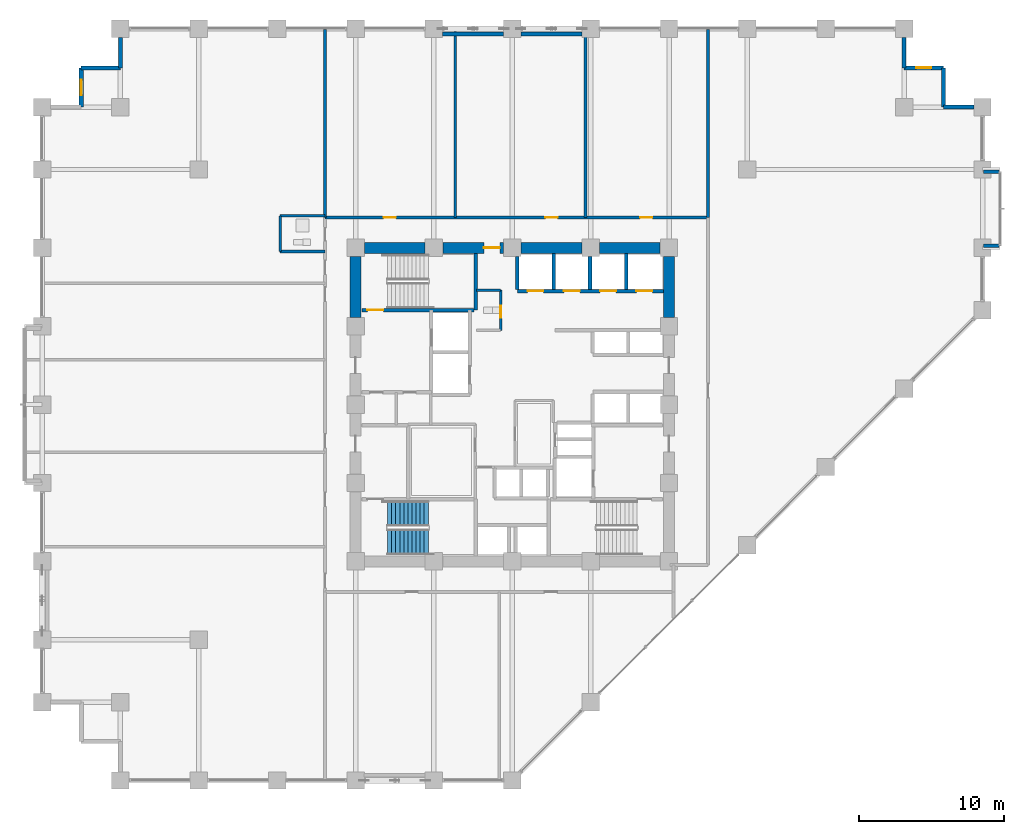
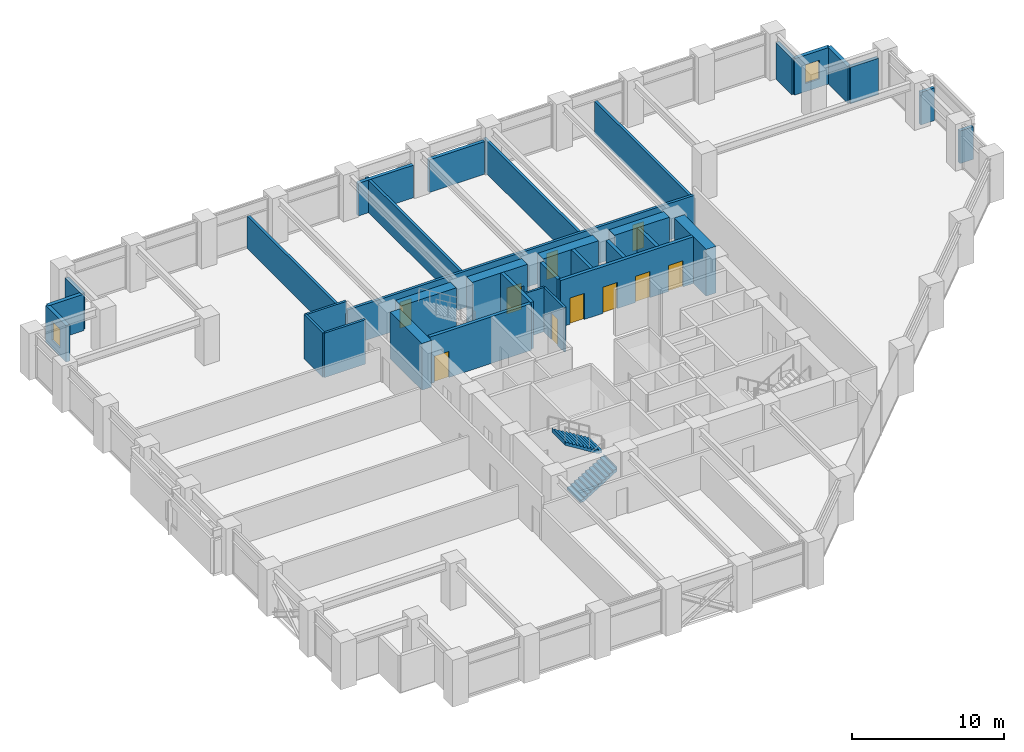
# One storey, part 22 of 27: 34 walls, 10 doors, 2 stair flights, 2 windows, 12 openings, 1 element without a shape of its own.
"""IFC4 building model written with IfcOpenShell, lengths in metres."""

from ifc_helpers import new_model, si_unit, direction, frame, frame_2d, origin, place, context, subcontext, project, spatial, polyline, rectangle, outline, extrude, material, layer, layer_set, type_object, element, fill, aggregate, save


model = new_model("IFC4")

# Units and contexts
model_context = context("Model", 3, precision=1e-05, world=origin(), true_north=direction((0.0, 1.0)))
body_context = subcontext(model_context, "Body", "Model", "MODEL_VIEW")
ifc_project = project(units=[si_unit("LENGTHUNIT", "METRE"), si_unit("AREAUNIT", "SQUARE_METRE"), si_unit("VOLUMEUNIT", "CUBIC_METRE"), si_unit("PLANEANGLEUNIT", "RADIAN"), si_unit("MASSUNIT", "GRAM", prefix="KILO")], contexts=[model_context])

# Site, building, storey
site_placement = place(None, origin())
site = spatial("IfcSite", under=ifc_project, at=site_placement, CompositionType="ELEMENT")
building_placement = place(site_placement, origin())
building = spatial("IfcBuilding", under=site, at=building_placement, Name="Surkhivell Harbour Commons", CompositionType="ELEMENT")
storey_placement = place(building_placement, frame((0.0, 0.0, 56.25)))
storey = spatial("IfcBuildingStorey", under=building, at=storey_placement, Name="L14", CompositionType="ELEMENT", Elevation=56.25)

# Wall
ifc_material_1 = material(Name="Concrete C60/75", Category="concrete")
ifc_layer_1 = layer(ifc_material_1, 0.75)
ifc_layer_set_1 = layer_set([ifc_layer_1], Name="Concrete C60/75")
wall_type_1 = type_object("IfcWallType", Name="WAL-CORE-750", PredefinedType="SHEAR", material=ifc_layer_set_1)
wall_1_placement = place(storey_placement, frame((-10.18994140625, 10.800048828125, 0.0), z_axis=(0.0, 0.0, 1.0), x_axis=(1.0, 0.0, 0.0)))
element("IfcWall", 1, at=wall_1_placement, inside=storey, type_object=wall_type_1, Name="L14 Core Shear Wall North 1", PredefinedType="SHEAR", context=body_context, shape_type="SweptSolid", body=[
    extrude(rectangle(XDim=4.179931640625, YDim=0.75, at=frame_2d((2.08984375, 0.0))), origin(), (0.0, 0.0, 1.0), 3.75),
])

# Wall, opening, door
wall_2_placement = place(storey_placement, frame((-4.7900390625, 10.800048828125, 0.0), z_axis=(0.0, 0.0, 1.0), x_axis=(1.0, 0.0, 0.0)))
wall_2 = element("IfcWall", 2, at=wall_2_placement, inside=storey, type_object=wall_type_1, Name="L14 Core Shear Wall North 2", PredefinedType="SHEAR", context=body_context, shape_type="SweptSolid", body=[
    extrude(rectangle(XDim=4.179931640625, YDim=0.75, at=frame_2d((2.08984375, 0.0))), origin(), (0.0, 0.0, 1.0), 3.75),
])
opening_1_placement = place(wall_2_placement, frame((2.830078125, 0.0, 0.0)))
opening_1 = element("IfcOpeningElement", 3, at=opening_1_placement, cuts=wall_2, Name="Opening ID-2", PredefinedType="OPENING", context=body_context, shape_type="SweptSolid", body=[
    extrude(rectangle(XDim=1.10009765625, YDim=2.10009765625, at=frame_2d((0.550048828125, 1.050048828125))), frame((0.0, 0.385009765625, 0.0), z_axis=(0.0, -1.0, 0.0), x_axis=(1.0, 0.0, 0.0)), (0.0, 0.0, 1.0), 0.77001953125),
])
ifc_material_2 = material(Name="Hardwood-veneered fire-rated door leaf", Category="wood")
door_type_1 = type_object("IfcDoorType", Name="DOR-FD60-1100", OperationType="NOTDEFINED", PredefinedType="DOOR", material=ifc_material_2)
door_1_placement = place(opening_1_placement, origin())
door_1 = element("IfcDoor", 4, at=door_1_placement, inside=storey, type_object=door_type_1, Name="L14 Central Core Lift Hall North Corridor Door", OperationType="SINGLE_SWING_LEFT", OverallHeight=2.10009765625, OverallWidth=1.10009765625, PredefinedType="DOOR", context=body_context, shape_type="SweptSolid", body=[
    extrude(rectangle(XDim=1.10009765625, YDim=2.10009765625, at=frame_2d((0.550048828125, 1.050048828125))), frame((0.0, 0.02490234375, 0.0), z_axis=(0.0, -1.0, 0.0), x_axis=(1.0, 0.0, 0.0)), (0.0, 0.0, 1.0), 0.050048828125),
])
fill(opening_1, door_1)

# Walls
for number, where, z_axis, x_axis, name in (
    (5, (0.610107421875, 10.800048828125, 0.0), (0.0, 0.0, 1.0), (1.0, 0.0, 0.0), "L14 Core Shear Wall North 3"),
    (6, (6.010009765625, 10.800048828125, 0.0), (0.0, 0.0, 1.0), (1.0, 0.0, 0.0), "L14 Core Shear Wall North 4"),
    (7, (-10.800048828125, 6.010009765625, 0.0), (0.0, 0.0, 1.0), (0.0, 1.0, 0.0), "L14 Core Shear Wall West 4"),
    (8, (10.800048828125, 6.010009765625, 0.0), (0.0, 0.0, 1.0), (0.0, 1.0, 0.0), "L14 Core Shear Wall East 4"),
):
    element("IfcWall", number, at=place(storey_placement, frame(where, z_axis=z_axis, x_axis=x_axis)), inside=storey, type_object=wall_type_1, Name=name, PredefinedType="SHEAR", context=body_context, shape_type="SweptSolid", body=[
        extrude(rectangle(XDim=4.179931640625, YDim=0.75, at=frame_2d((2.08984375, 0.0))), origin(), (0.0, 0.0, 1.0), 3.75),
    ])
ifc_material_3 = material(Name="Pale-metal insulated precast concrete C45/55", Category="concrete")
ifc_layer_2 = layer(ifc_material_3, 0.260009765625)
ifc_layer_set_2 = layer_set([ifc_layer_2], Name="Pale-metal insulated precast concrete C45/55")
wall_type_2 = type_object("IfcWallType", Name="WAL-EXT-MTL260", PredefinedType="STANDARD", material=ifc_layer_set_2)
for number, where, z_axis, x_axis, name in (
    (9, (-0.597900390625, 25.5400390625, 0.0), (0.0, 0.0, 1.0), (-1.0, 0.0, 0.0), "L14 Braced-Bay Insulated Spandrel Backing N"),
    (10, (4.802001953125, 25.5400390625, 0.0), (0.0, 0.0, 1.0), (-1.0, 0.0, 0.0), "L14 Braced-Bay Insulated Spandrel Backing N2"),
):
    element("IfcWall", number, at=place(storey_placement, frame(where, z_axis=z_axis, x_axis=x_axis)), inside=storey, type_object=wall_type_2, Name=name, PredefinedType="STANDARD", context=body_context, shape_type="SweptSolid", body=[
        extrude(rectangle(XDim=4.2041015625, YDim=0.260009765625, at=frame_2d((2.10205078125, 0.0))), origin(), (0.0, 0.0, 1.0), 2.623046875),
    ])
ifc_material_4 = material(Name="Bronze-ochre cassette precast concrete C45/55", Category="concrete")
ifc_layer_3 = layer(ifc_material_4, 0.239990234375)
ifc_layer_set_3 = layer_set([ifc_layer_3], Name="Bronze-ochre cassette precast concrete C45/55")
wall_type_3 = type_object("IfcWallType", Name="WAL-EXT-OCH240", PredefinedType="STANDARD", material=ifc_layer_set_3)
for number, where, z_axis, x_axis, name in (
    (11, (32.47998046875, 10.93994140625, 0.0), (0.0, 0.0, 1.0), (1.0, 0.0, 0.0), "L14 Coloured Box Return Wall 01S"),
    (12, (32.47998046875, 16.06005859375, 0.0), (0.0, 0.0, 1.0), (1.0, 0.0, 0.0), "L14 Coloured Box Return Wall 01N"),
):
    element("IfcWall", number, at=place(storey_placement, frame(where, z_axis=z_axis, x_axis=x_axis)), inside=storey, type_object=wall_type_3, Name=name, PredefinedType="STANDARD", context=body_context, shape_type="SweptSolid", body=[
        extrude(rectangle(XDim=1.0400390625, YDim=0.239990234375, at=frame_2d((0.52001953125, 0.0))), origin(), (0.0, 0.0, 1.0), 2.623046875),
    ])
ifc_material_5 = material(Name="Terracotta-clad reinforced concrete C45/55", Category="masonry")
ifc_layer_4 = layer(ifc_material_5, 0.280029296875)
ifc_layer_set_4 = layer_set([ifc_layer_4], Name="Terracotta-clad reinforced concrete C45/55")
wall_type_4 = type_object("IfcWallType", Name="WAL-EXT-TER280", PredefinedType="STANDARD", material=ifc_layer_set_4)
wall_3_placement = place(storey_placement, frame((31.802001953125, 20.5, 0.0), z_axis=(0.0, 0.0, 1.0), x_axis=(-1.0, 0.0, 0.0)))
element("IfcWall", 13, at=wall_3_placement, inside=storey, type_object=wall_type_4, Name="L14 Serrated Corner Facade Wall 03", PredefinedType="STANDARD", context=body_context, shape_type="SweptSolid", body=[
    extrude(rectangle(XDim=2.10205078125, YDim=0.280029296875, at=frame_2d((1.051025390625, 0.0))), origin(), (0.0, 0.0, 1.0), 2.929931640625),
])
wall_4_placement = place(storey_placement, frame((29.699951171875, 20.5, 0.0), z_axis=(0.0, 0.0, 1.0), x_axis=(0.0, 1.0, 0.0)))
element("IfcWall", 14, at=wall_4_placement, inside=storey, type_object=wall_type_4, Name="L14 Serrated Corner Facade Wall 04", PredefinedType="STANDARD", context=body_context, shape_type="SweptSolid", body=[
    extrude(rectangle(XDim=2.699951171875, YDim=0.280029296875, at=frame_2d((1.35009765625, 0.0))), origin(), (0.0, 0.0, 1.0), 2.929931640625),
])

# Wall, opening, window
wall_5_placement = place(storey_placement, frame((29.699951171875, 23.199951171875, 0.0), z_axis=(0.0, 0.0, 1.0), x_axis=(-1.0, 0.0, 0.0)))
wall_5 = element("IfcWall", 15, at=wall_5_placement, inside=storey, type_object=wall_type_4, Name="L14 Serrated Corner Facade Wall 05", PredefinedType="STANDARD", context=body_context, shape_type="SweptSolid", body=[
    extrude(rectangle(XDim=2.699951171875, YDim=0.280029296875, at=frame_2d((1.35009765625, 0.0))), origin(), (0.0, 0.0, 1.0), 2.929931640625),
])
opening_2_placement = place(wall_5_placement, frame((0.824951171875, 0.0, 0.64990234375)))
opening_2 = element("IfcOpeningElement", 16, at=opening_2_placement, cuts=wall_5, Name="Opening WN-11", PredefinedType="OPENING", context=body_context, shape_type="SweptSolid", body=[
    extrude(rectangle(XDim=1.050048828125, YDim=1.5, at=frame_2d((0.52490234375, 0.75))), frame((0.0, 0.14990234375, 0.0), z_axis=(0.0, -1.0, 0.0), x_axis=(1.0, 0.0, 0.0)), (0.0, 0.0, 1.0), 0.300048828125),
])
ifc_material_6 = material(Name="Thermal-break aluminium frame and double low-E glazing", Category="aluminium")
window_type = type_object("IfcWindowType", Name="WIN-SER-1050x1500", PartitioningType="SINGLE_PANEL", PredefinedType="WINDOW", material=ifc_material_6)
window_1_placement = place(opening_2_placement, origin())
window_1 = element("IfcWindow", 17, at=window_1_placement, inside=storey, type_object=window_type, Name="L14 Serrated Alcove Window 05", OverallHeight=1.5, OverallWidth=1.050048828125, PartitioningType="SINGLE_PANEL", PredefinedType="WINDOW", context=body_context, shape_type="SweptSolid", body=[
    extrude(rectangle(XDim=1.050048828125, YDim=1.5, at=frame_2d((0.52490234375, 0.75))), frame((0.0, 0.030029296875, 0.0), z_axis=(0.0, -1.0, 0.0), x_axis=(1.0, 0.0, 0.0)), (0.0, 0.0, 1.0), 0.06005859375),
])
fill(opening_2, window_1)

# Walls
for number, where, z_axis, x_axis, name in (
    (18, (27.0, 23.199951171875, 0.0), (0.0, 0.0, 1.0), (0.0, 1.0, 0.0), "L14 Serrated Corner Facade Wall 06"),
    (19, (-27.0, 25.302001953125, 0.0), (0.0, 0.0, 1.0), (0.0, -1.0, 0.0), "L14 Serrated Corner Facade Wall 08"),
):
    element("IfcWall", number, at=place(storey_placement, frame(where, z_axis=z_axis, x_axis=x_axis)), inside=storey, type_object=wall_type_4, Name=name, PredefinedType="STANDARD", context=body_context, shape_type="SweptSolid", body=[
        extrude(rectangle(XDim=2.10205078125, YDim=0.280029296875, at=frame_2d((1.051025390625, 0.0))), origin(), (0.0, 0.0, 1.0), 2.929931640625),
    ])
wall_6_placement = place(storey_placement, frame((-27.0, 23.199951171875, 0.0), z_axis=(0.0, 0.0, 1.0), x_axis=(-1.0, 0.0, 0.0)))
element("IfcWall", 20, at=wall_6_placement, inside=storey, type_object=wall_type_4, Name="L14 Serrated Corner Facade Wall 09", PredefinedType="STANDARD", context=body_context, shape_type="SweptSolid", body=[
    extrude(rectangle(XDim=2.699951171875, YDim=0.280029296875, at=frame_2d((1.35009765625, 0.0))), origin(), (0.0, 0.0, 1.0), 2.929931640625),
])

# Wall, opening, window
wall_7_placement = place(storey_placement, frame((-29.699951171875, 23.199951171875, 0.0), z_axis=(0.0, 0.0, 1.0), x_axis=(0.0, -1.0, 0.0)))
wall_7 = element("IfcWall", 21, at=wall_7_placement, inside=storey, type_object=wall_type_4, Name="L14 Serrated Corner Facade Wall 10", PredefinedType="STANDARD", context=body_context, shape_type="SweptSolid", body=[
    extrude(rectangle(XDim=2.699951171875, YDim=0.280029296875, at=frame_2d((1.35009765625, 0.0))), origin(), (0.0, 0.0, 1.0), 2.929931640625),
])
opening_3_placement = place(wall_7_placement, frame((0.824951171875, 0.0, 0.64990234375)))
opening_3 = element("IfcOpeningElement", 22, at=opening_3_placement, cuts=wall_7, Name="Opening WN-11", PredefinedType="OPENING", context=body_context, shape_type="SweptSolid", body=[
    extrude(rectangle(XDim=1.050048828125, YDim=1.5, at=frame_2d((0.52490234375, 0.75))), frame((0.0, 0.14990234375, 0.0), z_axis=(0.0, -1.0, 0.0), x_axis=(1.0, 0.0, 0.0)), (0.0, 0.0, 1.0), 0.300048828125),
])
window_2_placement = place(opening_3_placement, origin())
window_2 = element("IfcWindow", 23, at=window_2_placement, inside=storey, type_object=window_type, Name="L14 Serrated Alcove Window 10", OverallHeight=1.5, OverallWidth=1.050048828125, PartitioningType="SINGLE_PANEL", PredefinedType="WINDOW", context=body_context, shape_type="SweptSolid", body=[
    extrude(rectangle(XDim=1.050048828125, YDim=1.5, at=frame_2d((0.52490234375, 0.75))), frame((0.0, 0.030029296875, 0.0), z_axis=(0.0, -1.0, 0.0), x_axis=(1.0, 0.0, 0.0)), (0.0, 0.0, 1.0), 0.06005859375),
])
fill(opening_3, window_2)

# Wall, opening, door
ifc_material_7 = material(Name="Twin-stud acoustic fireboard partition", Category="other")
ifc_layer_5 = layer(ifc_material_7, 0.14990234375)
ifc_layer_set_5 = layer_set([ifc_layer_5], Name="Twin-stud acoustic fireboard partition")
wall_type_5 = type_object("IfcWallType", Name="WAL-INT-150", PredefinedType="PARTITIONING", material=ifc_layer_set_5)
wall_8_placement = place(storey_placement, frame((-0.800048828125, 5.1201171875, 0.0), z_axis=(0.0, 0.0, 1.0), x_axis=(0.0, 1.0, 0.0)))
wall_8 = element("IfcWall", 24, at=wall_8_placement, inside=storey, type_object=wall_type_5, Name="L14 Core Accessible WC East Wall", PredefinedType="PARTITIONING", context=body_context, shape_type="SweptSolid", body=[
    extrude(rectangle(XDim=2.759765625, YDim=0.14990234375, at=frame_2d((1.3798828125, 0.0))), origin(), (0.0, 0.0, 1.0), 3.570068359375),
])
opening_4_placement = place(wall_8_placement, frame((0.85009765625, 0.0, 0.0)))
opening_4 = element("IfcOpeningElement", 25, at=opening_4_placement, cuts=wall_8, Name="Opening ID-6", PredefinedType="OPENING", context=body_context, shape_type="SweptSolid", body=[
    extrude(rectangle(XDim=0.85009765625, YDim=2.10009765625, at=frame_2d((0.425048828125, 1.050048828125))), frame((0.0, 0.0849609375, 0.0), z_axis=(0.0, -1.0, 0.0), x_axis=(1.0, 0.0, 0.0)), (0.0, 0.0, 1.0), 0.169921875),
])
door_type_2 = type_object("IfcDoorType", Name="DOR-FD30-850", OperationType="NOTDEFINED", PredefinedType="DOOR", material=ifc_material_2)
door_2_placement = place(opening_4_placement, origin())
door_2 = element("IfcDoor", 26, at=door_2_placement, inside=storey, type_object=door_type_2, Name="L14 Floor Accessible WC Door", OperationType="SINGLE_SWING_LEFT", OverallHeight=2.10009765625, OverallWidth=0.85009765625, PredefinedType="DOOR", context=body_context, shape_type="SweptSolid", body=[
    extrude(rectangle(XDim=0.85009765625, YDim=2.10009765625, at=frame_2d((0.425048828125, 1.050048828125))), frame((0.0, 0.02490234375, 0.0), z_axis=(0.0, -1.0, 0.0), x_axis=(1.0, 0.0, 0.0)), (0.0, 0.0, 1.0), 0.050048828125),
])
fill(opening_4, door_2)

# Walls
wall_9_placement = place(storey_placement, frame((-2.47998046875, 7.8798828125, 0.0), z_axis=(0.0, 0.0, 1.0), x_axis=(1.0, 0.0, 0.0)))
element("IfcWall", 27, at=wall_9_placement, inside=storey, type_object=wall_type_5, Name="L14 Core Accessible WC North Wall", PredefinedType="PARTITIONING", context=body_context, shape_type="SweptSolid", body=[
    extrude(rectangle(XDim=1.679931640625, YDim=0.14990234375, at=frame_2d((0.83984375, 0.0))), origin(), (0.0, 0.0, 1.0), 3.570068359375),
])
ifc_material_8 = material(Name="High-density acoustic blockwork fire partition", Category="masonry")
ifc_layer_6 = layer(ifc_material_8, 0.175048828125)
ifc_layer_set_6 = layer_set([ifc_layer_6], Name="High-density acoustic blockwork fire partition")
wall_type_6 = type_object("IfcWallType", Name="WAL-INT-175", PredefinedType="PARTITIONING", material=ifc_layer_set_6)
wall_10_placement = place(storey_placement, frame((-16.0, 10.550048828125, 0.0), z_axis=(0.0, 0.0, 1.0), x_axis=(0.0, 1.0, 0.0)))
element("IfcWall", 28, at=wall_10_placement, inside=storey, type_object=wall_type_6, Name="L14 West Partition BTHB", PredefinedType="PARTITIONING", context=body_context, shape_type="SweptSolid", body=[
    extrude(rectangle(XDim=2.449951171875, YDim=0.175048828125, at=frame_2d((1.22509765625, 0.0))), origin(), (0.0, 0.0, 1.0), 3.570068359375),
])
for number, where, z_axis, x_axis, name in (
    (29, (-16.0, 13.0, 0.0), (0.0, 0.0, 1.0), (1.0, 0.0, 0.0), "L14 West Partition BTHN"),
    (30, (-16.0, 10.550048828125, 0.0), (0.0, 0.0, 1.0), (1.0, 0.0, 0.0), "L14 West Partition BTHS"),
):
    element("IfcWall", number, at=place(storey_placement, frame(where, z_axis=z_axis, x_axis=x_axis)), inside=storey, type_object=wall_type_6, Name=name, PredefinedType="PARTITIONING", context=body_context, shape_type="SweptSolid", body=[
        extrude(rectangle(XDim=3.10009765625, YDim=0.175048828125, at=frame_2d((1.550048828125, 0.0))), origin(), (0.0, 0.0, 1.0), 3.570068359375),
    ])
ifc_material_9 = material(Name="Autoclaved aerated concrete blockwork and fire plaster", Category="masonry")
ifc_layer_7 = layer(ifc_material_9, 0.199951171875)
ifc_layer_set_7 = layer_set([ifc_layer_7], Name="Autoclaved aerated concrete blockwork and fire plaster")
wall_type_7 = type_object("IfcWallType", Name="WAL-INT-200", PredefinedType="PARTITIONING", material=ifc_layer_set_7)
for number, where, z_axis, x_axis, name in (
    (31, (13.47998046875, 12.89990234375, 0.0), (0.0, 0.0, 1.0), (0.0, 1.0, 0.0), "L14 North-East Wing Corner Divider"),
    (32, (-12.89990234375, 12.89990234375, 0.0), (0.0, 0.0, 1.0), (0.0, 1.0, 0.0), "L14 North-West Wing Corner Divider"),
):
    element("IfcWall", number, at=place(storey_placement, frame(where, z_axis=z_axis, x_axis=x_axis)), inside=storey, type_object=wall_type_7, Name=name, PredefinedType="PARTITIONING", context=body_context, shape_type="SweptSolid", body=[
        extrude(rectangle(XDim=12.940185546875, YDim=0.199951171875, at=frame_2d((6.47021484375, 0.0))), origin(), (0.0, 0.0, 1.0), 2.623046875),
    ])

# Wall, openings, doors
wall_11_placement = place(storey_placement, frame((-12.89990234375, 12.89990234375, 0.0), z_axis=(0.0, 0.0, 1.0), x_axis=(1.0, 0.0, 0.0)))
wall_11 = element("IfcWall", 33, at=wall_11_placement, inside=storey, type_object=wall_type_7, Name="L14 Corridor North Wall", PredefinedType="PARTITIONING", context=body_context, shape_type="SweptSolid", body=[
    extrude(rectangle(XDim=26.3798828125, YDim=0.199951171875, at=frame_2d((13.18994140625, 0.0))), origin(), (0.0, 0.0, 1.0), 2.929931640625),
])
opening_5_placement = place(wall_11_placement, frame((4.034912109375, 0.0, 0.0)))
opening_5 = element("IfcOpeningElement", 34, at=opening_5_placement, cuts=wall_11, Name="Opening ID-6", PredefinedType="OPENING", context=body_context, shape_type="SweptSolid", body=[
    extrude(rectangle(XDim=0.85009765625, YDim=2.10009765625, at=frame_2d((0.425048828125, 1.050048828125))), frame((0.0, 0.10986328125, 0.0), z_axis=(0.0, -1.0, 0.0), x_axis=(1.0, 0.0, 0.0)), (0.0, 0.0, 1.0), 0.219970703125),
])
opening_6_placement = place(wall_11_placement, frame((15.17529296875, 0.0, 0.0)))
opening_6 = element("IfcOpeningElement", 35, at=opening_6_placement, cuts=wall_11, Name="Opening ID-6", PredefinedType="OPENING", context=body_context, shape_type="SweptSolid", body=[
    extrude(rectangle(XDim=0.85009765625, YDim=2.10009765625, at=frame_2d((0.425048828125, 1.050048828125))), frame((0.0, 0.10986328125, 0.0), z_axis=(0.0, -1.0, 0.0), x_axis=(1.0, 0.0, 0.0)), (0.0, 0.0, 1.0), 0.219970703125),
])
opening_7_placement = place(wall_11_placement, frame((21.7099609375, 0.0, 0.0)))
opening_7 = element("IfcOpeningElement", 36, at=opening_7_placement, cuts=wall_11, Name="Opening ID-6", PredefinedType="OPENING", context=body_context, shape_type="SweptSolid", body=[
    extrude(rectangle(XDim=0.85009765625, YDim=2.10009765625, at=frame_2d((0.425048828125, 1.050048828125))), frame((0.0, 0.10986328125, 0.0), z_axis=(0.0, -1.0, 0.0), x_axis=(1.0, 0.0, 0.0)), (0.0, 0.0, 1.0), 0.219970703125),
])
door_3_placement = place(opening_5_placement, origin())
door_3 = element("IfcDoor", 37, at=door_3_placement, inside=storey, type_object=door_type_2, Name="L14 Academic Seminar Room 1 North Door", OperationType="SINGLE_SWING_LEFT", OverallHeight=2.10009765625, OverallWidth=0.85009765625, PredefinedType="DOOR", context=body_context, shape_type="SweptSolid", body=[
    extrude(rectangle(XDim=0.85009765625, YDim=2.10009765625, at=frame_2d((0.425048828125, 1.050048828125))), frame((0.0, 0.02490234375, 0.0), z_axis=(0.0, -1.0, 0.0), x_axis=(1.0, 0.0, 0.0)), (0.0, 0.0, 1.0), 0.050048828125),
])
fill(opening_5, door_3)
door_4_placement = place(opening_6_placement, origin())
door_4 = element("IfcDoor", 38, at=door_4_placement, inside=storey, type_object=door_type_2, Name="L14 Academic Seminar Room 2 North Door", OperationType="SINGLE_SWING_RIGHT", OverallHeight=2.10009765625, OverallWidth=0.85009765625, PredefinedType="DOOR", context=body_context, shape_type="SweptSolid", body=[
    extrude(rectangle(XDim=0.85009765625, YDim=2.10009765625, at=frame_2d((0.425048828125, 1.050048828125))), frame((0.0, 0.02490234375, 0.0), z_axis=(0.0, -1.0, 0.0), x_axis=(1.0, 0.0, 0.0)), (0.0, 0.0, 1.0), 0.050048828125),
])
fill(opening_6, door_4)
door_5_placement = place(opening_7_placement, origin())
door_5 = element("IfcDoor", 39, at=door_5_placement, inside=storey, type_object=door_type_2, Name="L14 Academic Seminar Room 3 North Door", OperationType="SINGLE_SWING_LEFT", OverallHeight=2.10009765625, OverallWidth=0.85009765625, PredefinedType="DOOR", context=body_context, shape_type="SweptSolid", body=[
    extrude(rectangle(XDim=0.85009765625, YDim=2.10009765625, at=frame_2d((0.425048828125, 1.050048828125))), frame((0.0, 0.02490234375, 0.0), z_axis=(0.0, -1.0, 0.0), x_axis=(1.0, 0.0, 0.0)), (0.0, 0.0, 1.0), 0.050048828125),
])
fill(opening_7, door_5)

# Walls
for number, where, z_axis, x_axis, name in (
    (40, (-3.929931640625, 12.89990234375, 0.0), (0.0, 0.0, 1.0), (0.0, 1.0, 0.0), "L14 North Partition P1"),
    (41, (5.0400390625, 12.89990234375, 0.0), (0.0, 0.0, 1.0), (0.0, 1.0, 0.0), "L14 North Partition P2"),
):
    element("IfcWall", number, at=place(storey_placement, frame(where, z_axis=z_axis, x_axis=x_axis)), inside=storey, type_object=wall_type_7, Name=name, PredefinedType="PARTITIONING", context=body_context, shape_type="SweptSolid", body=[
        extrude(rectangle(XDim=12.940185546875, YDim=0.199951171875, at=frame_2d((6.47021484375, 0.0))), origin(), (0.0, 0.0, 1.0), 2.623046875),
    ])
ifc_material_10 = material(Name="Concrete C50/60", Category="concrete")
ifc_layer_8 = layer(ifc_material_10, 0.25)
ifc_layer_set_8 = layer_set([ifc_layer_8], Name="Concrete C50/60")
wall_type_8 = type_object("IfcWallType", Name="WAL-SHAFT-250", PredefinedType="SHEAR", material=ifc_layer_set_8)
wall_12_placement = place(storey_placement, frame((2.85009765625, 7.93994140625, 0.0), z_axis=(0.0, 0.0, 1.0), x_axis=(0.0, 1.0, 0.0)))
element("IfcWall", 42, at=wall_12_placement, inside=storey, type_object=wall_type_8, Name="L14 Low-Rise Hoistway Wall", PredefinedType="SHEAR", context=body_context, shape_type="SweptSolid", body=[
    extrude(rectangle(XDim=2.485107421875, YDim=0.25, at=frame_2d((1.24267578125, 0.0))), origin(), (0.0, 0.0, 1.0), 3.75),
])
for number, where, z_axis, x_axis, name in (
    (43, (0.35009765625, 7.93994140625, 0.0), (0.0, 0.0, 1.0), (0.0, 1.0, 0.0), "L14 Low-Rise Hoistway Wall"),
    (44, (5.35009765625, 7.93994140625, 0.0), (0.0, 0.0, 1.0), (0.0, 1.0, 0.0), "L14 Low-Rise Hoistway Wall"),
):
    element("IfcWall", number, at=place(storey_placement, frame(where, z_axis=z_axis, x_axis=x_axis)), inside=storey, type_object=wall_type_8, Name=name, PredefinedType="SHEAR", context=body_context, shape_type="SweptSolid", body=[
        extrude(rectangle(XDim=2.260009765625, YDim=0.25, at=frame_2d((1.1298828125, 0.0))), origin(), (0.0, 0.0, 1.0), 3.75),
    ])
wall_13_placement = place(storey_placement, frame((7.85009765625, 7.93994140625, 0.0), z_axis=(0.0, 0.0, 1.0), x_axis=(0.0, 1.0, 0.0)))
element("IfcWall", 45, at=wall_13_placement, inside=storey, type_object=wall_type_8, Name="L14 Low-Rise Hoistway Wall", PredefinedType="SHEAR", context=body_context, shape_type="SweptSolid", body=[
    extrude(rectangle(XDim=2.485107421875, YDim=0.25, at=frame_2d((1.24267578125, 0.0))), origin(), (0.0, 0.0, 1.0), 3.75),
])

# Wall, openings, doors
wall_14_placement = place(storey_placement, frame((0.35009765625, 7.820068359375, 0.0), z_axis=(0.0, 0.0, 1.0), x_axis=(1.0, 0.0, 0.0)))
wall_14 = element("IfcWall", 46, at=wall_14_placement, inside=storey, type_object=wall_type_8, Name="L14 Low-Rise Lift Front Shaft Wall", PredefinedType="SHEAR", context=body_context, shape_type="SweptSolid", body=[
    extrude(rectangle(XDim=10.074951171875, YDim=0.25, at=frame_2d((5.03759765625, 0.0))), origin(), (0.0, 0.0, 1.0), 3.75),
])
opening_8_placement = place(wall_14_placement, frame((0.699951171875, 0.0, 0.0)))
opening_8 = element("IfcOpeningElement", 47, at=opening_8_placement, cuts=wall_14, Name="Opening LD-1", PredefinedType="OPENING", context=body_context, shape_type="SweptSolid", body=[
    extrude(rectangle(XDim=1.10009765625, YDim=2.10009765625, at=frame_2d((0.550048828125, 1.050048828125))), frame((0.0, 0.135009765625, 0.0), z_axis=(0.0, -1.0, 0.0), x_axis=(1.0, 0.0, 0.0)), (0.0, 0.0, 1.0), 0.27001953125),
])
opening_9_placement = place(wall_14_placement, frame((3.199951171875, 0.0, 0.0)))
opening_9 = element("IfcOpeningElement", 48, at=opening_9_placement, cuts=wall_14, Name="Opening LD-1", PredefinedType="OPENING", context=body_context, shape_type="SweptSolid", body=[
    extrude(rectangle(XDim=1.10009765625, YDim=2.10009765625, at=frame_2d((0.550048828125, 1.050048828125))), frame((0.0, 0.135009765625, 0.0), z_axis=(0.0, -1.0, 0.0), x_axis=(1.0, 0.0, 0.0)), (0.0, 0.0, 1.0), 0.27001953125),
])
opening_10_placement = place(wall_14_placement, frame((5.699951171875, 0.0, 0.0)))
opening_10 = element("IfcOpeningElement", 49, at=opening_10_placement, cuts=wall_14, Name="Opening LD-1", PredefinedType="OPENING", context=body_context, shape_type="SweptSolid", body=[
    extrude(rectangle(XDim=1.10009765625, YDim=2.10009765625, at=frame_2d((0.550048828125, 1.050048828125))), frame((0.0, 0.135009765625, 0.0), z_axis=(0.0, -1.0, 0.0), x_axis=(1.0, 0.0, 0.0)), (0.0, 0.0, 1.0), 0.27001953125),
])
opening_11_placement = place(wall_14_placement, frame((8.199951171875, 0.0, 0.0)))
opening_11 = element("IfcOpeningElement", 50, at=opening_11_placement, cuts=wall_14, Name="Opening LD-1", PredefinedType="OPENING", context=body_context, shape_type="SweptSolid", body=[
    extrude(rectangle(XDim=1.10009765625, YDim=2.10009765625, at=frame_2d((0.550048828125, 1.050048828125))), frame((0.0, 0.135009765625, 0.0), z_axis=(0.0, -1.0, 0.0), x_axis=(1.0, 0.0, 0.0)), (0.0, 0.0, 1.0), 0.27001953125),
])
ifc_material_11 = material(Name="Brushed stainless steel S355", Category="steel")
door_type_3 = type_object("IfcDoorType", Name="DOR-LD-1100", OperationType="SLIDING_TO_LEFT", PredefinedType="DOOR", material=ifc_material_11)
door_6_placement = place(opening_8_placement, origin())
door_6 = element("IfcDoor", 51, at=door_6_placement, inside=storey, type_object=door_type_3, Name="L14 Lift Landing Door LD-PL1", OperationType="SLIDING_TO_LEFT", OverallHeight=2.10009765625, OverallWidth=1.10009765625, PredefinedType="DOOR", context=body_context, shape_type="SweptSolid", body=[
    extrude(rectangle(XDim=1.10009765625, YDim=2.10009765625, at=frame_2d((0.550048828125, 1.050048828125))), frame((0.0, 0.02490234375, 0.0), z_axis=(0.0, -1.0, 0.0), x_axis=(1.0, 0.0, 0.0)), (0.0, 0.0, 1.0), 0.050048828125),
])
fill(opening_8, door_6)
door_7_placement = place(opening_9_placement, origin())
door_7 = element("IfcDoor", 52, at=door_7_placement, inside=storey, type_object=door_type_3, Name="L14 Lift Landing Door LD-PL2", OperationType="SLIDING_TO_LEFT", OverallHeight=2.10009765625, OverallWidth=1.10009765625, PredefinedType="DOOR", context=body_context, shape_type="SweptSolid", body=[
    extrude(rectangle(XDim=1.10009765625, YDim=2.10009765625, at=frame_2d((0.550048828125, 1.050048828125))), frame((0.0, 0.02490234375, 0.0), z_axis=(0.0, -1.0, 0.0), x_axis=(1.0, 0.0, 0.0)), (0.0, 0.0, 1.0), 0.050048828125),
])
fill(opening_9, door_7)
door_8_placement = place(opening_10_placement, origin())
door_8 = element("IfcDoor", 53, at=door_8_placement, inside=storey, type_object=door_type_3, Name="L14 Lift Landing Door LD-PL3", OperationType="SLIDING_TO_LEFT", OverallHeight=2.10009765625, OverallWidth=1.10009765625, PredefinedType="DOOR", context=body_context, shape_type="SweptSolid", body=[
    extrude(rectangle(XDim=1.10009765625, YDim=2.10009765625, at=frame_2d((0.550048828125, 1.050048828125))), frame((0.0, 0.02490234375, 0.0), z_axis=(0.0, -1.0, 0.0), x_axis=(1.0, 0.0, 0.0)), (0.0, 0.0, 1.0), 0.050048828125),
])
fill(opening_10, door_8)
door_9_placement = place(opening_11_placement, origin())
door_9 = element("IfcDoor", 54, at=door_9_placement, inside=storey, type_object=door_type_3, Name="L14 Lift Landing Door LD-PL4", OperationType="SLIDING_TO_LEFT", OverallHeight=2.10009765625, OverallWidth=1.10009765625, PredefinedType="DOOR", context=body_context, shape_type="SweptSolid", body=[
    extrude(rectangle(XDim=1.10009765625, YDim=2.10009765625, at=frame_2d((0.550048828125, 1.050048828125))), frame((0.0, 0.02490234375, 0.0), z_axis=(0.0, -1.0, 0.0), x_axis=(1.0, 0.0, 0.0)), (0.0, 0.0, 1.0), 0.050048828125),
])
fill(opening_11, door_9)

# Wall
wall_15_placement = place(storey_placement, frame((-2.510009765625, 6.510009765625, 0.0), z_axis=(0.0, 0.0, 1.0), x_axis=(0.0, 1.0, 0.0)))
element("IfcWall", 55, at=wall_15_placement, inside=storey, type_object=wall_type_8, Name="L14 Stair ST1 East Shear Wall", PredefinedType="SHEAR", context=body_context, shape_type="SweptSolid", body=[
    extrude(rectangle(XDim=3.9150390625, YDim=0.25, at=frame_2d((1.95751953125, 0.0))), origin(), (0.0, 0.0, 1.0), 3.75),
])

# Wall, opening, door
wall_16_placement = place(storey_placement, frame((-10.340087890625, 6.510009765625, 0.0), z_axis=(0.0, 0.0, 1.0), x_axis=(1.0, 0.0, 0.0)))
wall_16 = element("IfcWall", 56, at=wall_16_placement, inside=storey, type_object=wall_type_8, Name="L14 Stair ST1 South Shear Wall", PredefinedType="SHEAR", context=body_context, shape_type="SweptSolid", body=[
    extrude(rectangle(XDim=7.7001953125, YDim=0.25, at=frame_2d((3.85009765625, 0.0))), origin(), (0.0, 0.0, 1.0), 3.75),
])
opening_12_placement = place(wall_16_placement, frame((0.35009765625, 0.0, 0.0)))
opening_12 = element("IfcOpeningElement", 57, at=opening_12_placement, cuts=wall_16, Name="Opening ID-2", PredefinedType="OPENING", context=body_context, shape_type="SweptSolid", body=[
    extrude(rectangle(XDim=1.10009765625, YDim=2.10009765625, at=frame_2d((0.550048828125, 1.050048828125))), frame((0.0, 0.135009765625, 0.0), z_axis=(0.0, -1.0, 0.0), x_axis=(1.0, 0.0, 0.0)), (0.0, 0.0, 1.0), 0.27001953125),
])
door_10_placement = place(opening_12_placement, origin())
door_10 = element("IfcDoor", 58, at=door_10_placement, inside=storey, type_object=door_type_1, Name="L14 Stair ST1 Exit Door", OperationType="SINGLE_SWING_LEFT", OverallHeight=2.10009765625, OverallWidth=1.10009765625, PredefinedType="DOOR", context=body_context, shape_type="SweptSolid", body=[
    extrude(rectangle(XDim=1.10009765625, YDim=2.10009765625, at=frame_2d((0.550048828125, 1.050048828125))), frame((0.0, 0.02490234375, 0.0), z_axis=(0.0, -1.0, 0.0), x_axis=(1.0, 0.0, 0.0)), (0.0, 0.0, 1.0), 0.050048828125),
])
fill(opening_12, door_10)

# Stair, stair flights
ifc_material_12 = material(Name="Precast concrete C45/55", Category="concrete")
stair_type = type_object("IfcStairType", Name="STR-DL-375", PredefinedType="HALF_TURN_STAIR", material=ifc_material_12)
stair_placement = place(storey_placement, origin())
stair = element("IfcStair", 59, at=stair_placement, inside=storey, type_object=stair_type, Name="L14 Core Exit Stair ST3", PredefinedType="HALF_TURN_STAIR")
stair_flight_type = type_object("IfcStairFlightType", Name="STF-DL-375", PredefinedType="STRAIGHT", material=ifc_material_12)
stair_flight_1_placement = place(storey_placement, frame((-8.590087890625, -9.465087890625, 0.0), z_axis=(0.0, 0.0, 1.0), x_axis=(1.0, 0.0, 0.0)))
stair_flight_1 = element("IfcStairFlight", 60, at=stair_flight_1_placement, type_object=stair_flight_type, Name="ST3 flight 1", NumberOfRisers=11, NumberOfTreads=10, PredefinedType="STRAIGHT", RiserHeight=0.170454545, TreadLength=0.28, context=body_context, shape_type="SweptSolid", body=[
    extrude(outline(polyline([(-0.0029296875, -0.034912109375), (-0.0029296875, 0.0), (0.0, 0.0), (0.0, 0.17041015625), (0.280029296875, 0.17041015625), (0.280029296875, 0.3408203125), (0.56005859375, 0.3408203125), (0.56005859375, 0.511474609375), (0.840087890625, 0.511474609375), (0.840087890625, 0.681884765625), (1.1201171875, 0.681884765625), (1.1201171875, 0.852294921875), (1.39990234375, 0.852294921875), (1.39990234375, 1.022705078125), (1.679931640625, 1.022705078125), (1.679931640625, 1.193115234375), (1.9599609375, 1.193115234375), (1.9599609375, 1.363525390625), (2.239990234375, 1.363525390625), (2.239990234375, 1.5341796875), (2.52001953125, 1.5341796875), (2.52001953125, 1.70458984375), (2.800048828125, 1.70458984375), (2.800048828125, 1.875), (2.802978515625, 1.875), (2.802978515625, 1.529052734375), (0.288330078125, -0.034912109375), (-0.0029296875, -0.034912109375)])), frame((0.0, 0.875, 0.0), z_axis=(0.0, -1.0, 0.0), x_axis=(1.0, 0.0, 0.0)), (0.0, 0.0, 1.0), 1.75),
])
stair_flight_2_placement = place(storey_placement, frame((-5.7900390625, -7.514892578125, 1.875), z_axis=(0.0, 0.0, 1.0), x_axis=(-1.0, 0.0, 0.0)))
stair_flight_2 = element("IfcStairFlight", 61, at=stair_flight_2_placement, type_object=stair_flight_type, Name="ST3 flight 2", NumberOfRisers=11, NumberOfTreads=10, PredefinedType="STRAIGHT", RiserHeight=0.170454545, TreadLength=0.28, context=body_context, shape_type="SweptSolid", body=[
    extrude(outline(polyline([(-0.0029296875, -0.034912109375), (-0.0029296875, 0.0), (0.0, 0.0), (0.0, 0.17041015625), (0.280029296875, 0.17041015625), (0.280029296875, 0.3408203125), (0.56005859375, 0.3408203125), (0.56005859375, 0.511474609375), (0.840087890625, 0.511474609375), (0.840087890625, 0.681884765625), (1.1201171875, 0.681884765625), (1.1201171875, 0.852294921875), (1.39990234375, 0.852294921875), (1.39990234375, 1.022705078125), (1.679931640625, 1.022705078125), (1.679931640625, 1.193115234375), (1.9599609375, 1.193115234375), (1.9599609375, 1.363525390625), (2.239990234375, 1.363525390625), (2.239990234375, 1.5341796875), (2.52001953125, 1.5341796875), (2.52001953125, 1.70458984375), (2.800048828125, 1.70458984375), (2.800048828125, 1.875), (2.802978515625, 1.875), (2.802978515625, 1.529052734375), (0.288330078125, -0.034912109375), (-0.0029296875, -0.034912109375)])), frame((0.0, 0.875, 0.0), z_axis=(0.0, -1.0, 0.0), x_axis=(1.0, 0.0, 0.0)), (0.0, 0.0, 1.0), 1.75),
])
aggregate(stair, [stair_flight_1, stair_flight_2])

save(model, "model.ifc")
